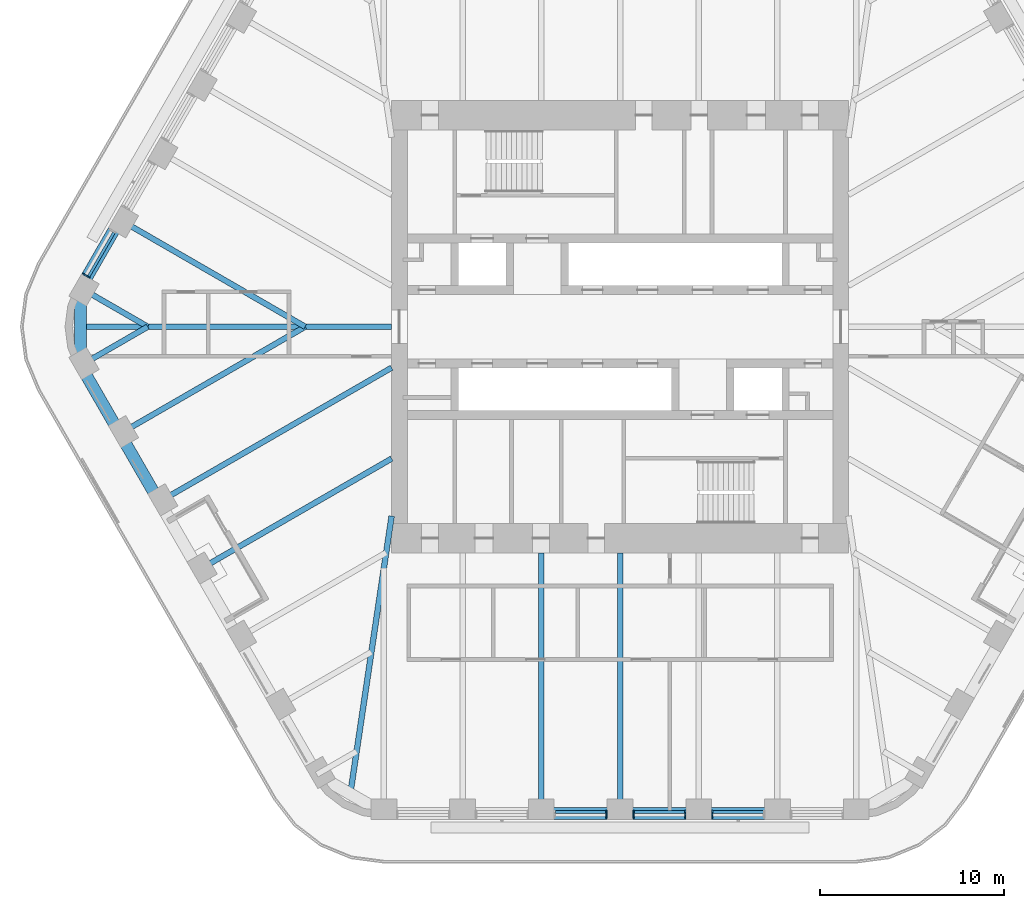
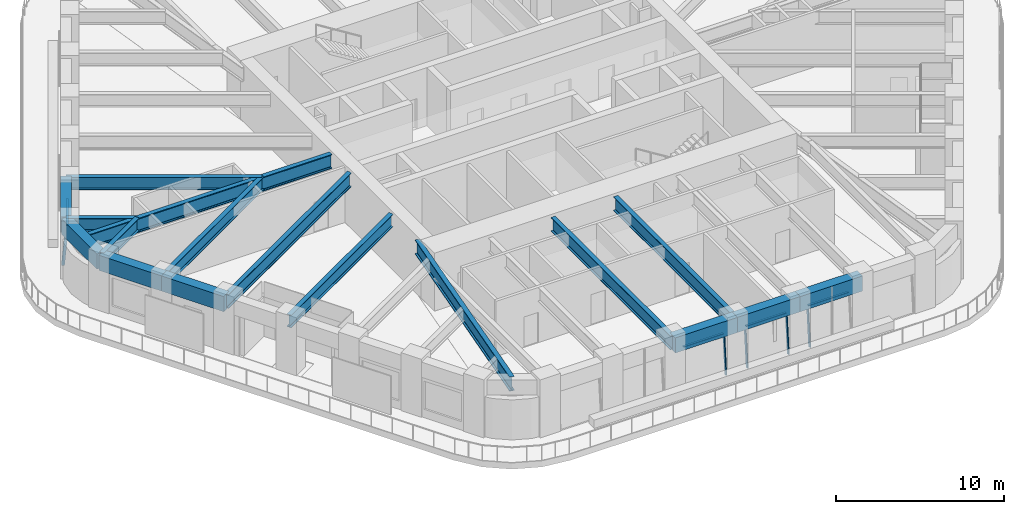
# One storey, part 3 of 19: 17 beams, 9 members, 4 elements without a shape of their own.
"""IFC4 building model written with IfcOpenShell, lengths in metres."""

from ifc_helpers import new_model, si_unit, direction, frame, origin, origin_2d, place, context, subcontext, project, spatial, rectangle, i_section, extrude, material, material_profile, profile_set, type_object, element, aggregate, save


model = new_model("IFC4")

# Units and contexts
model_context = context("Model", 3, precision=1e-05, world=origin(), true_north=direction((0.0, 1.0)))
body_context = subcontext(model_context, "Body", "Model", "MODEL_VIEW")
ifc_project = project(units=[si_unit("LENGTHUNIT", "METRE"), si_unit("AREAUNIT", "SQUARE_METRE"), si_unit("VOLUMEUNIT", "CUBIC_METRE"), si_unit("PLANEANGLEUNIT", "RADIAN"), si_unit("MASSUNIT", "GRAM", prefix="KILO")], contexts=[model_context])

# Site, building, storey
site_placement = place(None, origin())
site = spatial("IfcSite", under=ifc_project, at=site_placement, CompositionType="ELEMENT")
building_placement = place(site_placement, origin())
building = spatial("IfcBuilding", under=site, at=building_placement, Name="Tarfa Lantern Tower", CompositionType="ELEMENT")
storey_placement = place(building_placement, frame((0.0, 0.0, 328.300048828125)))
storey = spatial("IfcBuildingStorey", under=building, at=storey_placement, Name="L74", CompositionType="ELEMENT", Elevation=328.300048828125)

# Curtain wall, member
ifc_material_1 = material(Name="Aluminium framed curtain wall", Category="aluminium")
curtain_wall_type = type_object("IfcCurtainWallType", Name="CW4 CANTED GLAZING EXECUTIVE ZONE 2900", PredefinedType="USERDEFINED", material=ifc_material_1)
curtain_wall_1_placement = place(storey_placement, origin())
curtain_wall_1 = element("IfcCurtainWall", 1, at=curtain_wall_1_placement, inside=storey, type_object=curtain_wall_type, Name="CW4 NW L74", ObjectType="CURTAIN WALL", PredefinedType="USERDEFINED")
ifc_material_2 = material(Name="Aluminium mullion", Category="aluminium")
ifc_material_profile_1 = material_profile(ifc_material_2, rectangle(XDim=0.06494140625, YDim=0.199951171875, at=origin_2d()), Name="AL MULLION 65x200")
ifc_profile_set_1 = profile_set([ifc_material_profile_1], Name="Aluminium mullion")
member_type_1 = type_object("IfcMemberType", Name="CWM1 MULLION 65x200", PredefinedType="MULLION", material=ifc_profile_set_1)
member_1_placement = place(storey_placement, frame((-29.13623046875, 2.83447265625, 0.0), z_axis=(0.074316405553, -0.042945823525, 0.996309554359), x_axis=(0.500342721131, 0.865827443207, 0.0)))
member_1 = element("IfcMember", 2, at=member_1_placement, type_object=member_type_1, Name="CW4 mullion 2", PredefinedType="MULLION", context=body_context, shape_type="SweptSolid", body=[
    extrude(rectangle(XDim=0.06494140625, YDim=0.199951171875, at=origin_2d()), origin(), (0.0, 0.0, 1.0), 2.91064453125),
])

curtain_wall_2_placement = place(storey_placement, origin())
curtain_wall_2 = element("IfcCurtainWall", 3, at=curtain_wall_2_placement, inside=storey, type_object=curtain_wall_type, Name="CW4 S L74", ObjectType="CURTAIN WALL", PredefinedType="USERDEFINED")
member_2_placement = place(storey_placement, frame((-0.732421875, -26.64990234375, 0.0), z_axis=(0.0, 0.085891213166, 0.99630452147), x_axis=(-1.0, 0.0, 0.0)))
member_2 = element("IfcMember", 4, at=member_2_placement, type_object=member_type_1, Name="CW4 mullion 2", PredefinedType="MULLION", context=body_context, shape_type="SweptSolid", body=[
    extrude(rectangle(XDim=0.06494140625, YDim=0.199951171875, at=origin_2d()), origin(), (0.0, 0.0, 1.0), 2.91064453125),
])

# Curtain wall, members
curtain_wall_3_placement = place(storey_placement, origin())
curtain_wall_3 = element("IfcCurtainWall", 5, at=curtain_wall_3_placement, inside=storey, type_object=curtain_wall_type, Name="CW4 S L74", ObjectType="CURTAIN WALL", PredefinedType="USERDEFINED")
member_3_placement = place(storey_placement, frame((0.732421875, -26.64990234375, 0.0), z_axis=(0.0, 0.085891213166, 0.99630452147), x_axis=(-1.0, 0.0, 0.0)))
member_3 = element("IfcMember", 6, at=member_3_placement, type_object=member_type_1, Name="CW4 mullion 1", PredefinedType="MULLION", context=body_context, shape_type="SweptSolid", body=[
    extrude(rectangle(XDim=0.06494140625, YDim=0.199951171875, at=origin_2d()), origin(), (0.0, 0.0, 1.0), 2.91064453125),
])
member_4_placement = place(storey_placement, frame((3.549560546875, -26.64990234375, 0.0), z_axis=(0.0, 0.085891213166, 0.99630452147), x_axis=(-1.0, 0.0, 0.0)))
member_4 = element("IfcMember", 7, at=member_4_placement, type_object=member_type_1, Name="CW4 mullion 2", PredefinedType="MULLION", context=body_context, shape_type="SweptSolid", body=[
    extrude(rectangle(XDim=0.06494140625, YDim=0.199951171875, at=origin_2d()), origin(), (0.0, 0.0, 1.0), 2.91064453125),
])

# Curtain wall, member
curtain_wall_4_placement = place(storey_placement, origin())
curtain_wall_4 = element("IfcCurtainWall", 8, at=curtain_wall_4_placement, inside=storey, type_object=curtain_wall_type, Name="CW4 S L74", ObjectType="CURTAIN WALL", PredefinedType="USERDEFINED")
member_5_placement = place(storey_placement, frame((5.014404296875, -26.64990234375, 0.0), z_axis=(0.0, 0.085891213166, 0.99630452147), x_axis=(-1.0, 0.0, 0.0)))
member_5 = element("IfcMember", 9, at=member_5_placement, type_object=member_type_1, Name="CW4 mullion 1", PredefinedType="MULLION", context=body_context, shape_type="SweptSolid", body=[
    extrude(rectangle(XDim=0.06494140625, YDim=0.199951171875, at=origin_2d()), origin(), (0.0, 0.0, 1.0), 2.91064453125),
])

# Member
ifc_material_3 = material(Name="Aluminium transom", Category="aluminium")
ifc_material_profile_2 = material_profile(ifc_material_3, rectangle(XDim=0.14990234375, YDim=0.06494140625, at=origin_2d()), Name="AL TRANSOM 150x65")
ifc_profile_set_2 = profile_set([ifc_material_profile_2], Name="Aluminium transom")
member_type_2 = type_object("IfcMemberType", Name="CWT1 TRANSOM 150x65", PredefinedType="USERDEFINED", material=ifc_profile_set_2)
member_6_placement = place(storey_placement, frame((-27.530029296875, 5.122314453125, 2.867431640625), z_axis=(-0.499993790352, -0.866028988896, 0.0), x_axis=(0.866028988896, -0.499993790352, 0.0)))
member_6 = element("IfcMember", 10, at=member_6_placement, type_object=member_type_2, Name="CW4 transom 1.2", ObjectType="TRANSOM", PredefinedType="USERDEFINED", context=body_context, shape_type="SweptSolid", body=[
    extrude(rectangle(XDim=0.14990234375, YDim=0.06494140625, at=origin_2d()), origin(), (0.0, 0.0, 1.0), 2.751953125),
])

aggregate(curtain_wall_1, [member_1, member_6])

member_7_placement = place(storey_placement, frame((-3.51708984375, -26.40283203125, 2.867431640625), z_axis=(1.0, 0.0, 0.0), x_axis=(0.0, 1.0, 0.0)))
member_7 = element("IfcMember", 11, at=member_7_placement, type_object=member_type_2, Name="CW4 transom 1.2", ObjectType="TRANSOM", PredefinedType="USERDEFINED", context=body_context, shape_type="SweptSolid", body=[
    extrude(rectangle(XDim=0.14990234375, YDim=0.06494140625, at=origin_2d()), origin(), (0.0, 0.0, 1.0), 2.752197265625),
])

aggregate(curtain_wall_2, [member_2, member_7])

member_8_placement = place(storey_placement, frame((0.764892578125, -26.40283203125, 2.867431640625), z_axis=(1.0, 0.0, 0.0), x_axis=(0.0, 1.0, 0.0)))
member_8 = element("IfcMember", 12, at=member_8_placement, type_object=member_type_2, Name="CW4 transom 1.2", ObjectType="TRANSOM", PredefinedType="USERDEFINED", context=body_context, shape_type="SweptSolid", body=[
    extrude(rectangle(XDim=0.14990234375, YDim=0.06494140625, at=origin_2d()), origin(), (0.0, 0.0, 1.0), 2.752197265625),
])

aggregate(curtain_wall_3, [member_3, member_4, member_8])

member_9_placement = place(storey_placement, frame((5.047119140625, -26.40283203125, 2.867431640625), z_axis=(1.0, 0.0, 0.0), x_axis=(0.0, 1.0, 0.0)))
member_9 = element("IfcMember", 13, at=member_9_placement, type_object=member_type_2, Name="CW4 transom 1.2", ObjectType="TRANSOM", PredefinedType="USERDEFINED", context=body_context, shape_type="SweptSolid", body=[
    extrude(rectangle(XDim=0.14990234375, YDim=0.06494140625, at=origin_2d()), origin(), (0.0, 0.0, 1.0), 2.751953125),
])

aggregate(curtain_wall_4, [member_5, member_9])

# Beams
ifc_material_4 = material(Name="Concrete C80/95", Category="concrete")
ifc_material_profile_3 = material_profile(ifc_material_4, rectangle(XDim=0.64990234375, YDim=1.10009765625, at=origin_2d()), Name="RC 650x1100")
ifc_profile_set_3 = profile_set([ifc_material_profile_3], Name="Concrete C80/95")
beam_type_1 = type_object("IfcBeamType", Name="EB4 RC 650x1100", PredefinedType="SPANDREL", material=ifc_profile_set_3)
beam_1_placement = place(storey_placement, frame((-27.205810546875, 5.818359375, 3.449951171875), z_axis=(-0.499984039138, -0.866034618596, 0.0), x_axis=(0.866034618596, -0.499984039138, 0.0)))
element("IfcBeam", 14, at=beam_1_placement, inside=storey, type_object=beam_type_1, Name="Edge beam NW5", PredefinedType="SPANDREL", context=body_context, shape_type="SweptSolid", body=[
    extrude(rectangle(XDim=0.64990234375, YDim=1.10009765625, at=origin_2d()), origin(), (0.0, 0.0, 1.0), 4.281982421875),
])
beam_2_placement = place(storey_placement, frame((-29.3466796875, 2.110107421875, 3.449951171875), z_axis=(0.0, -1.0, 0.0), x_axis=(1.0, 0.0, 0.0)))
element("IfcBeam", 15, at=beam_2_placement, inside=storey, type_object=beam_type_1, Name="Edge beam NW6", PredefinedType="SPANDREL", context=body_context, shape_type="SweptSolid", body=[
    extrude(rectangle(XDim=0.64990234375, YDim=1.10009765625, at=origin_2d()), origin(), (0.0, 0.0, 1.0), 4.22021484375),
])
for number, where, z_axis, x_axis, name in (
    (16, (-29.3466796875, -2.110107421875, 3.449951171875), (0.499984039138, -0.866034618596, 0.0), (0.866034618596, 0.499984039138, 0.0), "Edge beam SW0"),
    (17, (-27.205810546875, -5.818359375, 3.449951171875), (0.500026801138, -0.866009929587, 0.0), (0.866009929587, 0.500026801138, 0.0), "Edge beam SW1"),
    (18, (-4.281982421875, -26.469970703125, 3.449951171875), (1.0, 0.0, 0.0), (0.0, 1.0, 0.0), "Edge beam S2"),
    (19, (0.0, -26.469970703125, 3.449951171875), (1.0, 0.0, 0.0), (0.0, 1.0, 0.0), "Edge beam S3"),
    (20, (4.281982421875, -26.469970703125, 3.449951171875), (1.0, 0.0, 0.0), (0.0, 1.0, 0.0), "Edge beam S4"),
):
    element("IfcBeam", number, at=place(storey_placement, frame(where, z_axis=z_axis, x_axis=x_axis)), inside=storey, type_object=beam_type_1, Name=name, PredefinedType="SPANDREL", context=body_context, shape_type="SweptSolid", body=[
        extrude(rectangle(XDim=0.64990234375, YDim=1.10009765625, at=origin_2d()), origin(), (0.0, 0.0, 1.0), 4.281982421875),
    ])
ifc_material_5 = material(Name="Steel S460M", Category="steel")
ifc_material_profile_4 = material_profile(ifc_material_5, i_section(OverallWidth=0.302001953125, OverallDepth=1.008056640625, WebThickness=0.02099609375, FlangeThickness=0.0400390625, FilletRadius=0.030029296875, at=origin_2d()), Name="UB1016x305x349")
ifc_profile_set_4 = profile_set([ifc_material_profile_4], Name="Steel S460M")
beam_type_2 = type_object("IfcBeamType", Name="UB1016x305x349", PredefinedType="BEAM", material=ifc_profile_set_4)
beam_3_placement = place(storey_placement, frame((-25.064697265625, -9.526611328125, 3.495849609375), z_axis=(0.866029591389, 0.499992746786, 0.0), x_axis=(-0.499992746786, 0.866029591389, 0.0)))
element("IfcBeam", 21, at=beam_3_placement, inside=storey, type_object=beam_type_2, Name="Floor beam SW2", PredefinedType="BEAM", context=body_context, shape_type="SweptSolid", body=[
    extrude(i_section(OverallWidth=0.302001953125, OverallDepth=1.008056640625, WebThickness=0.02099609375, FlangeThickness=0.0400390625, FilletRadius=0.030029296875, at=origin_2d()), origin(), (0.0, 0.0, 1.0), 14.594970703125),
])
for number, where, z_axis, x_axis, name in (
    (22, (-4.281982421875, -26.469970703125, 3.495849609375), (0.0, 1.0, 0.0), (-1.0, 0.0, 0.0), "Floor beam S2"),
    (23, (0.0, -26.469970703125, 3.495849609375), (0.0, 1.0, 0.0), (-1.0, 0.0, 0.0), "Floor beam S3"),
):
    element("IfcBeam", number, at=place(storey_placement, frame(where, z_axis=z_axis, x_axis=x_axis)), inside=storey, type_object=beam_type_2, Name=name, PredefinedType="BEAM", context=body_context, shape_type="SweptSolid", body=[
        extrude(i_section(OverallWidth=0.302001953125, OverallDepth=1.008056640625, WebThickness=0.02099609375, FlangeThickness=0.0400390625, FilletRadius=0.030029296875, at=origin_2d()), origin(), (0.0, 0.0, 1.0), 14.169921875),
    ])
ifc_material_profile_5 = material_profile(ifc_material_5, i_section(OverallWidth=0.30859375, OverallDepth=1.036376953125, WebThickness=0.030029296875, FlangeThickness=0.05419921875, FilletRadius=0.030029296875, at=origin_2d()), Name="UB1016x305x487")
ifc_profile_set_5 = profile_set([ifc_material_profile_5], Name="Steel S460M")
beam_type_3 = type_object("IfcBeamType", Name="UB1016x305x487", PredefinedType="BEAM", material=ifc_profile_set_5)
beam_4_placement = place(storey_placement, frame((-12.425048828125, 0.0, 3.481689453125), z_axis=(-1.0, 0.0, 0.0), x_axis=(0.0, -1.0, 0.0)))
element("IfcBeam", 24, at=beam_4_placement, inside=storey, type_object=beam_type_3, Name="Hip girder W", PredefinedType="BEAM", context=body_context, shape_type="SweptSolid", body=[
    extrude(i_section(OverallWidth=0.30859375, OverallDepth=1.036376953125, WebThickness=0.030029296875, FlangeThickness=0.05419921875, FilletRadius=0.030029296875, at=origin_2d()), origin(), (0.0, 0.0, 1.0), 16.921630859375),
])
beam_5_placement = place(storey_placement, frame((-12.425048828125, -10.300048828125, 3.481689453125), z_axis=(-0.147127069073, -0.989117599452, 0.0), x_axis=(0.989117599452, -0.147127069073, 0.0)))
element("IfcBeam", 25, at=beam_5_placement, inside=storey, type_object=beam_type_3, Name="Hip girder SW", PredefinedType="BEAM", context=body_context, shape_type="SweptSolid", body=[
    extrude(i_section(OverallWidth=0.30859375, OverallDepth=1.036376953125, WebThickness=0.030029296875, FlangeThickness=0.05419921875, FilletRadius=0.030029296875, at=origin_2d()), origin(), (0.0, 0.0, 1.0), 15.28125),
])
ifc_material_profile_6 = material_profile(ifc_material_5, i_section(OverallWidth=0.305419921875, OverallDepth=0.91845703125, WebThickness=0.017333984375, FlangeThickness=0.02783203125, FilletRadius=0.01904296875, at=origin_2d()), Name="UB914x305x253")
ifc_profile_set_6 = profile_set([ifc_material_profile_6], Name="Steel S460M")
beam_type_4 = type_object("IfcBeamType", Name="UB914x305x253", PredefinedType="BEAM", material=ifc_profile_set_6)
beam_6_placement = place(storey_placement, frame((-27.205810546875, 5.818359375, 3.540771484375), z_axis=(0.866024171998, -0.500002133511, 0.0), x_axis=(0.500002133511, 0.866024171998, 0.0)))
element("IfcBeam", 26, at=beam_6_placement, inside=storey, type_object=beam_type_4, Name="Floor beam NW5", PredefinedType="BEAM", context=body_context, shape_type="SweptSolid", body=[
    extrude(i_section(OverallWidth=0.305419921875, OverallDepth=0.91845703125, WebThickness=0.017333984375, FlangeThickness=0.02783203125, FilletRadius=0.01904296875, at=origin_2d()), origin(), (0.0, 0.0, 1.0), 11.63671875),
])
for number, where, z_axis, x_axis, name in (
    (27, (-29.3466796875, 2.110107421875, 3.540771484375), (0.866009274789, -0.500027935199, 0.0), (0.500027935199, 0.866009274789, 0.0), "Floor beam NW6"),
    (28, (-29.3466796875, -2.110107421875, 3.540771484375), (0.866009274789, 0.500027935199, 0.0), (-0.500027935199, 0.866009274789, 0.0), "Floor beam SW0"),
):
    element("IfcBeam", number, at=place(storey_placement, frame(where, z_axis=z_axis, x_axis=x_axis)), inside=storey, type_object=beam_type_4, Name=name, PredefinedType="BEAM", context=body_context, shape_type="SweptSolid", body=[
        extrude(i_section(OverallWidth=0.305419921875, OverallDepth=0.91845703125, WebThickness=0.017333984375, FlangeThickness=0.02783203125, FilletRadius=0.01904296875, at=origin_2d()), origin(), (0.0, 0.0, 1.0), 4.219970703125),
    ])
beam_7_placement = place(storey_placement, frame((-27.205810546875, -5.818359375, 3.540771484375), z_axis=(0.866024171998, 0.500002133511, 0.0), x_axis=(-0.500002133511, 0.866024171998, 0.0)))
element("IfcBeam", 29, at=beam_7_placement, inside=storey, type_object=beam_type_4, Name="Floor beam SW1", PredefinedType="BEAM", context=body_context, shape_type="SweptSolid", body=[
    extrude(i_section(OverallWidth=0.305419921875, OverallDepth=0.91845703125, WebThickness=0.017333984375, FlangeThickness=0.02783203125, FilletRadius=0.01904296875, at=origin_2d()), origin(), (0.0, 0.0, 1.0), 11.63671875),
])
beam_8_placement = place(storey_placement, frame((-22.923583984375, -13.235107421875, 3.540771484375), z_axis=(0.86601856927, 0.500011837539, 0.0), x_axis=(-0.500011837539, 0.86601856927, 0.0)))
element("IfcBeam", 30, at=beam_8_placement, inside=storey, type_object=beam_type_4, Name="Floor beam SW3", PredefinedType="BEAM", context=body_context, shape_type="SweptSolid", body=[
    extrude(i_section(OverallWidth=0.305419921875, OverallDepth=0.91845703125, WebThickness=0.017333984375, FlangeThickness=0.02783203125, FilletRadius=0.01904296875, at=origin_2d()), origin(), (0.0, 0.0, 1.0), 12.122802734375),
])

save(model, "model.ifc")
